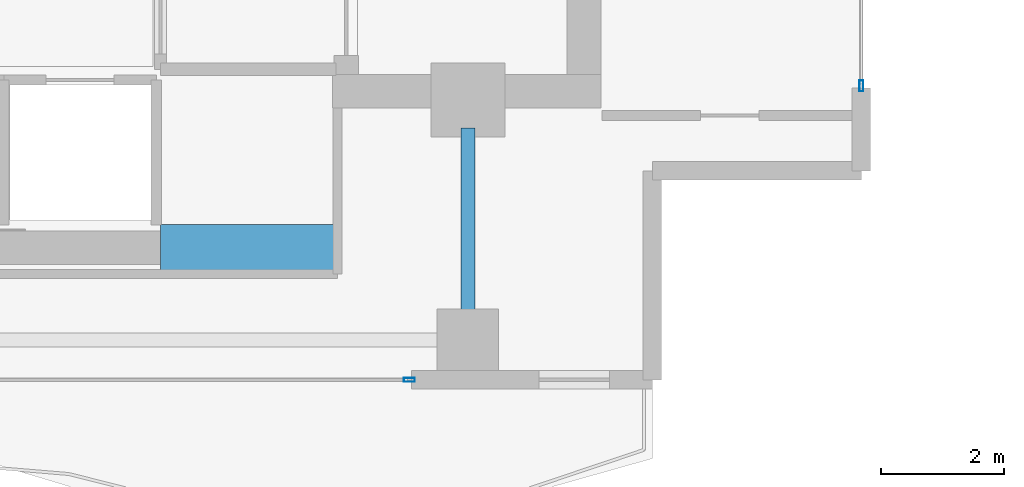
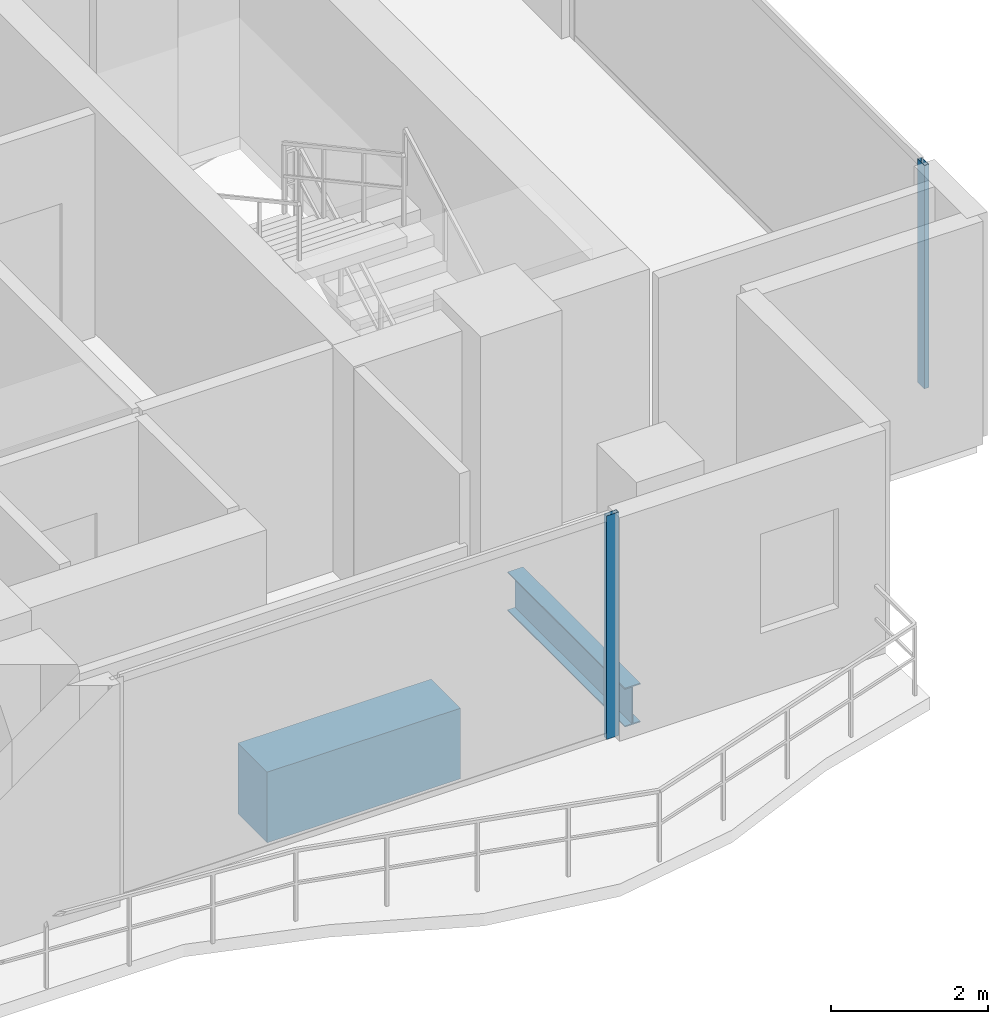
# One storey, part 8 of 24: 2 beams, 2 members, 2 elements without a shape of their own.
"""IFC4 building model written with IfcOpenShell, lengths in metres."""

import ifcopenshell
import ifcopenshell.guid

model = None  # the IFC model being written
_history = None  # IfcOwnerHistory: only IFC2X3 demands one
_inside = {}  # id of a spatial element -> (the spatial element, [elements in it])
_under = {}  # id of a project, library or spatial element -> (it, [spatial elements below it])
_declared = {}  # id of a project -> (the project, [libraries it declares])
_typed = {}  # id of a type object -> (the type object, [elements of that type])
_made_of = {}  # id of a material, layer set ... -> (it, [elements and type objects made of it])


def new_model(schema):
    """Start an empty IFC model of exactly this schema.

    Asked for "IFC4X3", IfcOpenShell would pick the latest addendum, in which some entities
    have other attributes; the version numbers below select the first issue.
    IFC2X3 requires an IfcOwnerHistory on every rooted entity: one is made here for all.
    """
    global model, _history
    if schema == "IFC4X3":
        model = ifcopenshell.file(schema_version=(4, 3, 0, 0))
    else:
        model = ifcopenshell.file(schema=schema)
    _inside.clear()
    _under.clear()
    _declared.clear()
    _typed.clear()
    _made_of.clear()
    _history = None
    if model.schema == "IFC2X3":
        org = make("IfcOrganization", Name="unknown")
        user = make(
            "IfcPersonAndOrganization",
            ThePerson=make("IfcPerson", FamilyName="unknown"),
            TheOrganization=org,
        )
        app = make(
            "IfcApplication",
            ApplicationDeveloper=org,
            Version="unknown",
            ApplicationFullName="unknown",
            ApplicationIdentifier="unknown",
        )
        _history = make(
            "IfcOwnerHistory",
            OwningUser=user,
            OwningApplication=app,
            ChangeAction="ADDED",
            CreationDate=0,
        )
    return model


def make(cls, **values):
    """One entity of the class cls with the attributes given. An attribute that is None is left unset."""
    return model.create_entity(
        cls, **{name: value for name, value in values.items() if value is not None}
    )


def rooted(cls, **values):
    """An entity with a GlobalId (a new one), such as an element, a storey or a relation."""
    return make(cls, GlobalId=ifcopenshell.guid.new(), OwnerHistory=_history, **values)


def si_unit(unit_type, name, prefix=None):
    """IfcSIUnit, for example si_unit("LENGTHUNIT", "METRE", prefix="MILLI")."""
    return make("IfcSIUnit", UnitType=unit_type, Prefix=prefix, Name=name)


def assignment(units):
    """IfcUnitAssignment: the units of a project."""
    return None if units is None else make("IfcUnitAssignment", Units=units)


def point(xyz):
    """IfcCartesianPoint."""
    return None if xyz is None else make("IfcCartesianPoint", Coordinates=xyz)


def direction(xyz):
    """IfcDirection."""
    return None if xyz is None else make("IfcDirection", DirectionRatios=xyz)


def frame(location, z_axis=None, x_axis=None):
    """IfcAxis2Placement3D, a coordinate frame: its origin and axes. An axis left out is left unset."""
    return make(
        "IfcAxis2Placement3D",
        Location=point(location),
        Axis=direction(z_axis),
        RefDirection=direction(x_axis),
    )


def frame_2d(location, x_axis=None):
    """IfcAxis2Placement2D, a coordinate frame in the plane: its origin and x axis."""
    return make(
        "IfcAxis2Placement2D", Location=point(location), RefDirection=direction(x_axis)
    )


def origin():
    """The frame at (0, 0, 0) with its axes left unset."""
    return frame((0.0, 0.0, 0.0))


def origin_2d():
    """The frame at (0, 0) in the plane with its x axis left unset."""
    return frame_2d((0.0, 0.0))


def place(relative_to, where):
    """IfcLocalPlacement: puts the frame where relative to a parent placement (None: the world)."""
    return make(
        "IfcLocalPlacement", PlacementRelTo=relative_to, RelativePlacement=where
    )


def context(
    kind, dimensions, precision=None, world=None, true_north=None, identifier=None
):
    """IfcGeometricRepresentationContext, for example the 3D "Model" context."""
    return make(
        "IfcGeometricRepresentationContext",
        ContextIdentifier=identifier,
        ContextType=kind,
        CoordinateSpaceDimension=dimensions,
        Precision=precision,
        WorldCoordinateSystem=world,
        TrueNorth=true_north,
    )


def subcontext(parent, identifier, kind, view, scale=None):
    """IfcGeometricRepresentationSubContext, for example "Body" below "Model"."""
    return make(
        "IfcGeometricRepresentationSubContext",
        ContextIdentifier=identifier,
        ContextType=kind,
        ParentContext=parent,
        TargetScale=scale,
        TargetView=view,
    )


def project(units=None, contexts=None):
    """IfcProject with its units and contexts."""
    return rooted(
        "IfcProject",
        Name="project",
        RepresentationContexts=contexts,
        UnitsInContext=assignment(units),
    )


def spatial(cls, under=None, at=None, **own):
    """A site, building, storey or space (cls), placed at a placement, below another one or the project."""
    s = rooted(cls, ObjectPlacement=at, **own)
    if under is not None:
        _under.setdefault(under.id(), (under, []))[1].append(s)
    return s


def profile(cls, at=None, kind="AREA", **sizes):
    """A parametric profile (cls). Its sizes go by their IFC names, for example OverallWidth=200.0."""
    return make(cls, ProfileType=kind, Position=at, **sizes)


def rectangle(**sizes):
    """IfcRectangleProfileDef."""
    return profile("IfcRectangleProfileDef", **sizes)


def hollow_rectangle(**sizes):
    """IfcRectangleHollowProfileDef."""
    return profile("IfcRectangleHollowProfileDef", **sizes)


def i_section(**sizes):
    """IfcIShapeProfileDef."""
    return profile("IfcIShapeProfileDef", **sizes)


def extrude(swept, where, along, depth):
    """IfcExtrudedAreaSolid: the profile swept, set in the frame where, extruded along a direction by depth."""
    return make(
        "IfcExtrudedAreaSolid",
        SweptArea=swept,
        Position=where,
        ExtrudedDirection=direction(along),
        Depth=depth,
    )


def shape(context_of_items, identifier, shape_type, items):
    """IfcShapeRepresentation: the items that make up one representation, for example the "Body"."""
    return make(
        "IfcShapeRepresentation",
        ContextOfItems=context_of_items,
        RepresentationIdentifier=identifier,
        RepresentationType=shape_type,
        Items=items,
    )


def material(Name=None, Category=None):
    """IfcMaterial."""
    return make("IfcMaterial", Name=Name, Category=Category)


def layer(
    of_material, thickness, ventilated=None, Name=None, Category=None, Priority=None
):
    """IfcMaterialLayer: one layer of a wall or slab, of a material (None: an air gap)."""
    return make(
        "IfcMaterialLayer",
        Material=of_material,
        LayerThickness=thickness,
        IsVentilated=ventilated,
        Name=Name,
        Category=Category,
        Priority=Priority,
    )


def layer_set(layers, Name=None):
    """IfcMaterialLayerSet."""
    return make("IfcMaterialLayerSet", MaterialLayers=layers, LayerSetName=Name)


def material_profile(
    of_material, cross_section, Name=None, Category=None, Priority=None
):
    """IfcMaterialProfile: a cross section and its material."""
    return make(
        "IfcMaterialProfile",
        Name=Name,
        Material=of_material,
        Profile=cross_section,
        Priority=Priority,
        Category=Category,
    )


def profile_set(profiles, Name=None, composite=None):
    """IfcMaterialProfileSet."""
    return make(
        "IfcMaterialProfileSet",
        Name=Name,
        MaterialProfiles=profiles,
        CompositeProfile=composite,
    )


def made_of(thing, what):
    """Note that an element or type object is made of a material, layer set ...; save() writes the relation."""
    if what is not None:
        _made_of.setdefault(what.id(), (what, []))[1].append(thing)
    return thing


def type_object(cls, material=None, **own):
    """A type object (cls), such as IfcWallType, which elements share."""
    return made_of(rooted(cls, **own), material)


def element(
    cls,
    number,
    at=None,
    inside=None,
    cuts=None,
    type_object=None,
    material=None,
    context=None,
    identifier="Body",
    shape_type=None,
    held_by="IfcProductDefinitionShape",
    body=None,
    shapes=None,
    **own,
):
    """One element of the class cls, such as IfcWall. Its Tag is "e" and its number.

    at: its placement. inside: the storey or other place that contains it. cuts: it is an
    opening in that element (IfcRelVoidsElement). A single representation is given by context,
    identifier, shape_type and body (its items); several are given by shapes. held_by: the class
    of the entity that holds the representations. save() writes the other relations.
    """
    e = rooted(cls, Tag="e%d" % number, ObjectPlacement=at, **own)
    if body is not None:
        shapes = [shape(context, identifier, shape_type, body)]
    if shapes is not None:
        e.Representation = make(held_by, Representations=shapes)
    if inside is not None:
        _inside.setdefault(inside.id(), (inside, []))[1].append(e)
    if cuts is not None:
        rooted(
            "IfcRelVoidsElement", RelatingBuildingElement=cuts, RelatedOpeningElement=e
        )
    if type_object is not None:
        _typed.setdefault(type_object.id(), (type_object, []))[1].append(e)
    return made_of(e, material)


def aggregate(whole, parts):
    """IfcRelAggregates: a whole, such as a stair, and the parts it consists of."""
    return rooted("IfcRelAggregates", RelatingObject=whole, RelatedObjects=parts)


def save(model, path):
    """Write the relations noted so far, then the file.

    IfcRelAggregates (storeys below a building ...), IfcRelContainedInSpatialStructure (elements
    in a storey), IfcRelDefinesByType, IfcRelAssociatesMaterial and IfcRelDeclares: one each for
    every whole, place, type object, material and project.
    """
    for whole, parts in _under.values():
        aggregate(whole, parts)
    for where, things in _inside.values():
        rooted(
            "IfcRelContainedInSpatialStructure",
            RelatedElements=things,
            RelatingStructure=where,
        )
    for kind, things in _typed.values():
        rooted("IfcRelDefinesByType", RelatedObjects=things, RelatingType=kind)
    for what, things in _made_of.values():
        rooted("IfcRelAssociatesMaterial", RelatedObjects=things, RelatingMaterial=what)
    for by, libraries in _declared.values():
        rooted("IfcRelDeclares", RelatingContext=by, RelatedDefinitions=libraries)
    model.write(path)


model = new_model("IFC4")

# Units and contexts
model_context = context("Model", 3, precision=1e-05, world=origin(), true_north=direction((0.0, 1.0)))
body_context = subcontext(model_context, "Body", "Model", "MODEL_VIEW")
ifc_project = project(units=[si_unit("LENGTHUNIT", "METRE"), si_unit("AREAUNIT", "SQUARE_METRE"), si_unit("VOLUMEUNIT", "CUBIC_METRE"), si_unit("PLANEANGLEUNIT", "RADIAN"), si_unit("MASSUNIT", "GRAM", prefix="KILO")], contexts=[model_context])

# Site, building, storey
site_placement = place(None, origin())
site = spatial("IfcSite", under=ifc_project, at=site_placement, CompositionType="ELEMENT")
building_placement = place(site_placement, origin())
building = spatial("IfcBuilding", under=site, at=building_placement, Name="Zuhayl Quay Hotel", CompositionType="ELEMENT")
storey_placement = place(building_placement, frame((0.0, 0.0, 280.35009765625)))
storey = spatial("IfcBuildingStorey", under=building, at=storey_placement, Name="L71", CompositionType="ELEMENT", Elevation=280.35009765625)

# Beams
ifc_material_1 = material(Name="Steel ASTM A992 Grade 50", Category="steel")
ifc_material_profile_1 = material_profile(ifc_material_1, i_section(OverallWidth=0.22802734375, OverallDepth=0.60693359375, WebThickness=0.01123046875, FlangeThickness=0.017333984375, at=origin_2d()), Name="W24X76")
ifc_profile_set_1 = profile_set([ifc_material_profile_1], Name="Steel ASTM A992 Grade 50")
beam_type_1 = type_object("IfcBeamType", Name="BM_B3_W24X76", PredefinedType="BEAM", material=ifc_profile_set_1)
beam_1_placement = place(storey_placement, frame((13.800048828125, 1.110107421875, -0.523681640625), z_axis=(0.0, 1.0, 0.0), x_axis=(-1.0, 0.0, 0.0)))
element("IfcBeam", 1, at=beam_1_placement, inside=storey, type_object=beam_type_1, Name="L71 Floor Beam FG_S_L71_4", PredefinedType="BEAM", context=body_context, shape_type="SweptSolid", body=[
    extrude(i_section(OverallWidth=0.22802734375, OverallDepth=0.60693359375, WebThickness=0.01123046875, FlangeThickness=0.017333984375, at=origin_2d()), origin(), (0.0, 0.0, 1.0), 2.989990234375),
])
ifc_material_2 = material(Name="Concrete C60/75", Category="concrete")
ifc_material_profile_2 = material_profile(ifc_material_2, rectangle(XDim=0.75, YDim=1.10009765625, at=origin_2d()), Name="RC750X1100")
ifc_profile_set_2 = profile_set([ifc_material_profile_2], Name="Concrete C60/75")
beam_type_2 = type_object("IfcBeamType", Name="BM_CB2_RC750", PredefinedType="T_BEAM", material=ifc_profile_set_2)
beam_2_placement = place(storey_placement, frame((8.800048828125, 2.14990234375, -0.77001953125), z_axis=(1.0, 0.0, 0.0), x_axis=(0.0, 1.0, 0.0)))
element("IfcBeam", 2, at=beam_2_placement, inside=storey, type_object=beam_type_2, Name="L71 Core Coupling Beam SE", PredefinedType="T_BEAM", context=body_context, shape_type="SweptSolid", body=[
    extrude(rectangle(XDim=0.75, YDim=1.10009765625, at=origin_2d()), origin(), (0.0, 0.0, 1.0), 2.849853515625),
])

# Curtain wall, member
ifc_material_3 = material(Name="Anodised Aluminium 6063-T6", Category="aluminium")
ifc_layer = layer(ifc_material_3, 0.169921875, Name="Anodised Aluminium 6063-T6", Category="aluminium")
ifc_layer_set = layer_set([ifc_layer], Name="Anodised Aluminium 6063-T6")
curtain_wall_type = type_object("IfcCurtainWallType", Name="CW_SYS_Z4", PredefinedType="USERDEFINED", material=ifc_layer_set)
curtain_wall_1_placement = place(storey_placement, origin())
curtain_wall_1 = element("IfcCurtainWall", 3, at=curtain_wall_1_placement, inside=storey, type_object=curtain_wall_type, Name="L71 Curtain Wall ENV_L71_E14_CW1", ObjectType="UNITISED CURTAIN WALL", PredefinedType="USERDEFINED")
ifc_material_4 = material(Name="Black-anodised aluminium 6063-T6", Category="aluminium")
ifc_material_profile_3 = material_profile(ifc_material_4, hollow_rectangle(XDim=0.06494140625, YDim=0.179931640625, WallThickness=0.00341796875, at=origin_2d()), Name="ALU180X65")
ifc_profile_set_3 = profile_set([ifc_material_profile_3], Name="Black-anodised aluminium 6063-T6")
member_type = type_object("IfcMemberType", Name="MB_CW_MUL_180", PredefinedType="MULLION", material=ifc_profile_set_3)
member_1_placement = place(storey_placement, frame((20.199951171875, 4.782470703125, 0.0), z_axis=(0.0, 0.0, 1.0), x_axis=(1.0, 0.0, 0.0)))
member_1 = element("IfcMember", 4, at=member_1_placement, type_object=member_type, Name="CW-Z4 mullion 2", PredefinedType="MULLION", context=body_context, shape_type="SweptSolid", body=[
    extrude(hollow_rectangle(XDim=0.06494140625, YDim=0.179931640625, WallThickness=0.00341796875, at=origin_2d()), origin(), (0.0, 0.0, 1.0), 3.47998046875),
])
aggregate(curtain_wall_1, [member_1])

curtain_wall_2_placement = place(storey_placement, origin())
curtain_wall_2 = element("IfcCurtainWall", 5, at=curtain_wall_2_placement, inside=storey, type_object=curtain_wall_type, Name="L71 Curtain Wall ENV_L71_S_CW1", ObjectType="UNITISED CURTAIN WALL", PredefinedType="USERDEFINED")
member_2_placement = place(storey_placement, frame((12.847412109375, 0.0, 0.0), z_axis=(0.0, 0.0, 1.0), x_axis=(0.0, -1.0, 0.0)))
member_2 = element("IfcMember", 6, at=member_2_placement, type_object=member_type, Name="CW-Z4 mullion 1", PredefinedType="MULLION", context=body_context, shape_type="SweptSolid", body=[
    extrude(hollow_rectangle(XDim=0.06494140625, YDim=0.179931640625, WallThickness=0.00341796875, at=origin_2d()), origin(), (0.0, 0.0, 1.0), 3.47998046875),
])
aggregate(curtain_wall_2, [member_2])

save(model, "model.ifc")
